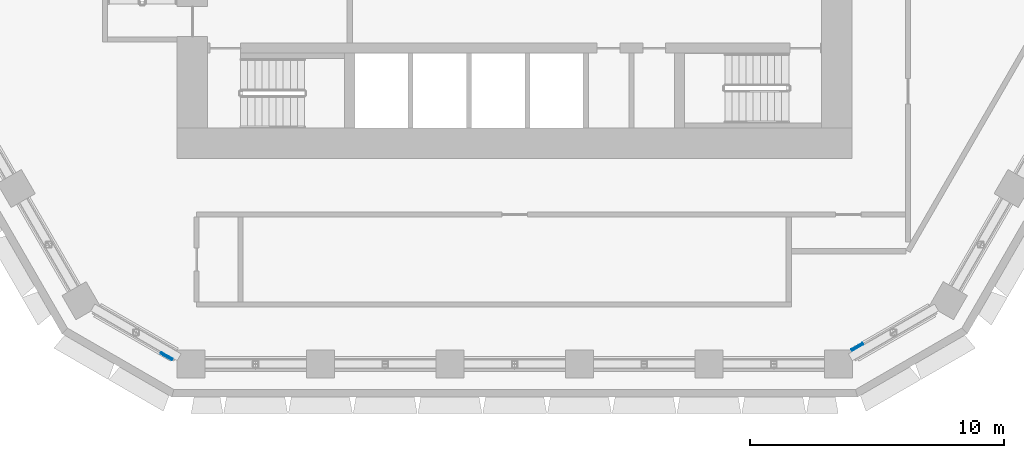
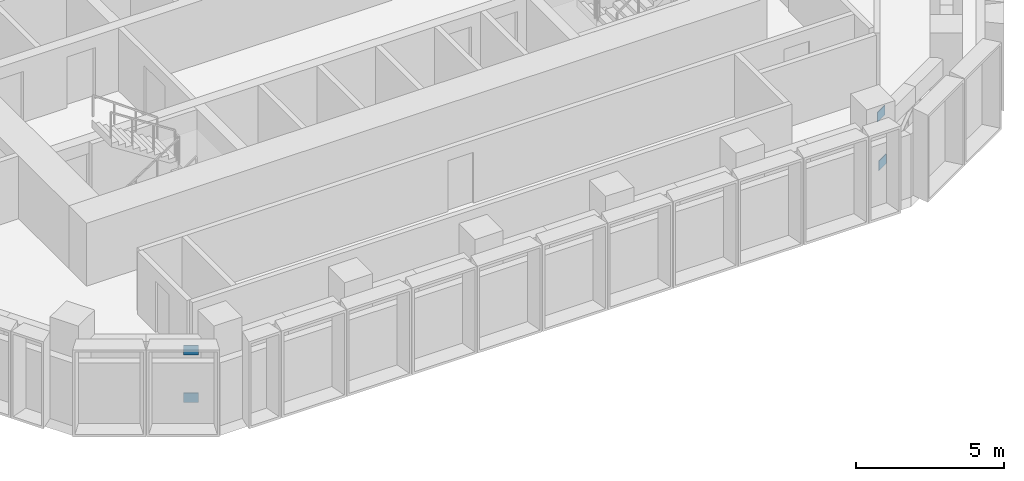
# One storey, part 14 of 22: 4 discrete accessories.
"""IFC4 building model written with IfcOpenShell, lengths in metres."""

from ifc_helpers import new_model, si_unit, direction, frame, origin, origin_2d, place, context, subcontext, project, spatial, rectangle, extrude, material, type_object, element, save


model = new_model("IFC4")

# Units and contexts
model_context = context("Model", 3, precision=1e-05, world=origin(), true_north=direction((0.0, 1.0)))
body_context = subcontext(model_context, "Body", "Model", "MODEL_VIEW")
ifc_project = project(units=[si_unit("LENGTHUNIT", "METRE"), si_unit("AREAUNIT", "SQUARE_METRE"), si_unit("VOLUMEUNIT", "CUBIC_METRE"), si_unit("PLANEANGLEUNIT", "RADIAN"), si_unit("MASSUNIT", "GRAM", prefix="KILO")], contexts=[model_context])

# Site, building, storey
site_placement = place(None, origin())
site = spatial("IfcSite", under=ifc_project, at=site_placement, CompositionType="ELEMENT")
building_placement = place(site_placement, origin())
building = spatial("IfcBuilding", under=site, at=building_placement, Name="Beryl Residences", CompositionType="ELEMENT")
storey_placement = place(building_placement, frame((0.0, 0.0, 62.39990234375)))
storey = spatial("IfcBuildingStorey", under=building, at=storey_placement, Name="L19", CompositionType="ELEMENT", Elevation=62.39990234375)

# Discrete accessories
ifc_material = material(Name="Steel S355", Category="steel")
discrete_accessory_type = type_object("IfcDiscreteAccessoryType", Name="GP1 chord end gusset plate 500 x 400 x 25 mm", PredefinedType="BRACKET", material=ifc_material)
for number, where, z_axis, x_axis, name in (
    (1, (-13.73095703125, -26.81298828125, 2.050048828125), (0.0, 0.0, 1.0), (-0.866105677765, 0.499860935604, 0.0), "GP1 gusset plate L19 Tb SW-5"),
    (2, (-13.7060546875, -26.77001953125, 0.050048828125), (0.0, 0.0, 1.0), (-0.866105677765, 0.499860935604, 0.0), "GP1 gusset plate L19 Bb SW-5"),
    (3, (13.4951171875, -26.402099609375, 2.050048828125), (0.0, 0.0, 1.0), (0.865968675011, 0.500098244248, 0.0), "GP1 gusset plate L19 Ta S-5"),
    (4, (13.52001953125, -26.445068359375, 0.050048828125), (0.0, 0.0, 1.0), (0.865968675011, 0.500098244248, 0.0), "GP1 gusset plate L19 Ba S-5"),
):
    element("IfcDiscreteAccessory", number, at=place(storey_placement, frame(where, z_axis=z_axis, x_axis=x_axis)), inside=storey, type_object=discrete_accessory_type, Name=name, PredefinedType="BRACKET", context=body_context, shape_type="SweptSolid", body=[
        extrude(rectangle(XDim=0.5, YDim=0.02490234375, at=origin_2d()), origin(), (0.0, 0.0, 1.0), 0.39990234375),
    ])

save(model, "model.ifc")
